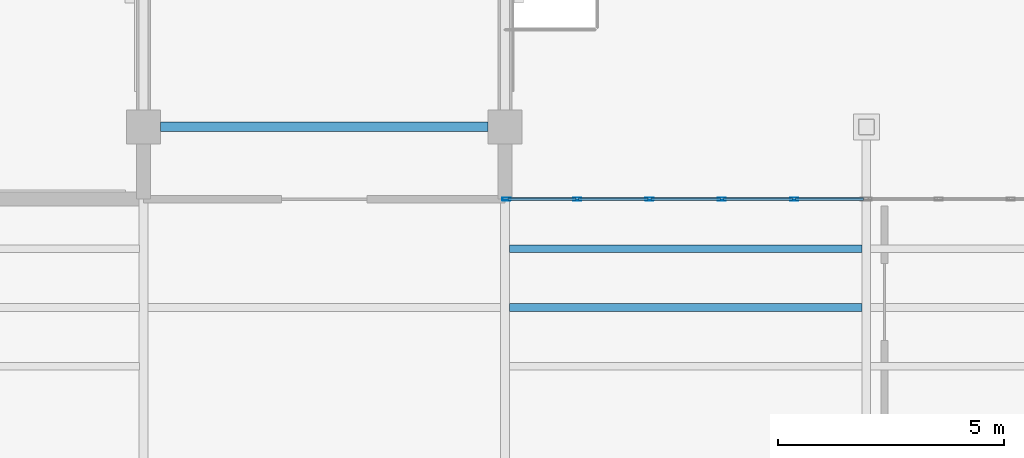
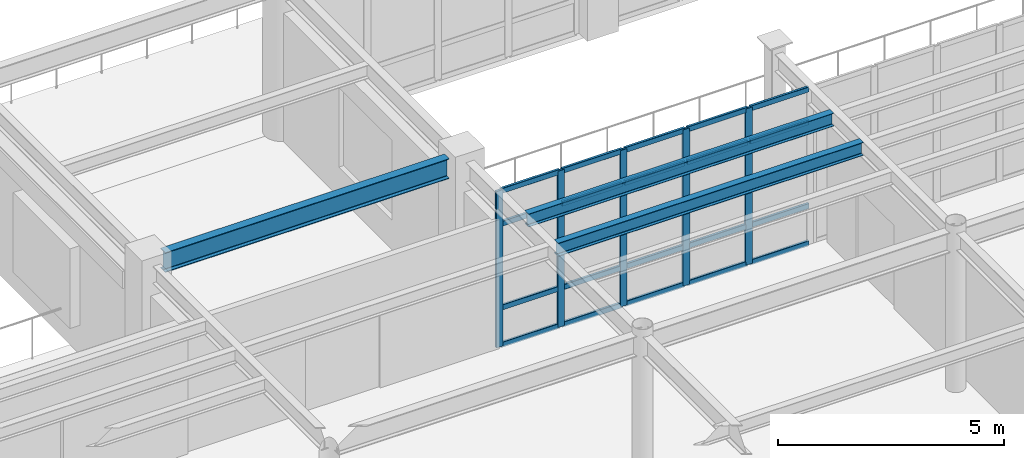
# One storey, part 19 of 111: 25 members, 3 beams, 1 element without a shape of its own.
"""IFC4 building model written with IfcOpenShell, lengths in metres."""

from ifc_helpers import new_model, si_unit, direction, frame, origin, origin_2d, place, context, subcontext, project, spatial, hollow_rectangle, i_section, extrude, material, material_profile, profile_set, type_object, element, aggregate, save


model = new_model("IFC4")

# Units and contexts
model_context = context("Model", 3, precision=1e-05, world=origin(), true_north=direction((0.0, 1.0)))
body_context = subcontext(model_context, "Body", "Model", "MODEL_VIEW")
ifc_project = project(units=[si_unit("LENGTHUNIT", "METRE"), si_unit("AREAUNIT", "SQUARE_METRE"), si_unit("VOLUMEUNIT", "CUBIC_METRE"), si_unit("PLANEANGLEUNIT", "RADIAN"), si_unit("MASSUNIT", "GRAM", prefix="KILO")], contexts=[model_context])

# Site, building, storey
site_placement = place(None, origin())
site = spatial("IfcSite", under=ifc_project, at=site_placement, CompositionType="ELEMENT")
building_placement = place(site_placement, origin())
building = spatial("IfcBuilding", under=site, at=building_placement, Name="Solmirada Galleria", CompositionType="ELEMENT")
storey_placement = place(building_placement, frame((0.0, 0.0, 10.39990234375)))
storey = spatial("IfcBuildingStorey", under=building, at=storey_placement, Name="L02", CompositionType="ELEMENT", Elevation=10.39990234375)

# Beams
ifc_material_1 = material(Name="Steel S355 / ASTM A992 Grade 50", Category="steel")
ifc_material_profile_1 = material_profile(ifc_material_1, i_section(OverallWidth=0.2099609375, OverallDepth=0.537109375, WebThickness=0.010986328125, FlangeThickness=0.017333984375, FilletRadius=0.014892578125, at=origin_2d()), Name="W21X68")
ifc_profile_set_1 = profile_set([ifc_material_profile_1], Name="Steel S355 / ASTM A992 Grade 50")
beam_type_1 = type_object("IfcBeamType", Name="BM-GIRD-W21B", PredefinedType="BEAM", material=ifc_profile_set_1)
beam_1_placement = place(storey_placement, frame((88.375, 40.0, 4.031494140625), z_axis=(1.0, 0.0, 0.0), x_axis=(0.0, 1.0, 0.0)))
element("IfcBeam", 1, at=beam_1_placement, inside=storey, type_object=beam_type_1, Name="Primary beam L03 X(88..96, 40)", PredefinedType="BEAM", context=body_context, shape_type="SweptSolid", body=[
    extrude(i_section(OverallWidth=0.2099609375, OverallDepth=0.537109375, WebThickness=0.010986328125, FlangeThickness=0.017333984375, FilletRadius=0.014892578125, at=origin_2d()), origin(), (0.0, 0.0, 1.0), 7.25),
])
ifc_material_profile_2 = material_profile(ifc_material_1, i_section(OverallWidth=0.172119140625, OverallDepth=0.35791015625, WebThickness=0.0078125, FlangeThickness=0.01318359375, FilletRadius=0.011962890625, at=origin_2d()), Name="W14X38")
ifc_profile_set_2 = profile_set([ifc_material_profile_2], Name="Steel S355 / ASTM A992 Grade 50")
beam_type_2 = type_object("IfcBeamType", Name="BM-JST-W14A", PredefinedType="JOIST", material=ifc_profile_set_2)
beam_2_placement = place(storey_placement, frame((96.10498046875, 36.0, 4.0810546875), z_axis=(1.0, 0.0, 0.0), x_axis=(0.0, 1.0, 0.0)))
element("IfcBeam", 2, at=beam_2_placement, inside=storey, type_object=beam_type_2, Name="Composite floor joist L03 (96..104, 36.0)", PredefinedType="JOIST", context=body_context, shape_type="SweptSolid", body=[
    extrude(i_section(OverallWidth=0.172119140625, OverallDepth=0.35791015625, WebThickness=0.0078125, FlangeThickness=0.01318359375, FilletRadius=0.011962890625, at=origin_2d()), origin(), (0.0, 0.0, 1.0), 7.798095703125),
])
ifc_material_profile_3 = material_profile(ifc_material_1, i_section(OverallWidth=0.1708984375, OverallDepth=0.35205078125, WebThickness=0.0068359375, FlangeThickness=0.009765625, FilletRadius=0.010986328125, at=origin_2d()), Name="W14X30")
ifc_profile_set_3 = profile_set([ifc_material_profile_3], Name="Steel S355 / ASTM A992 Grade 50")
beam_type_3 = type_object("IfcBeamType", Name="BM-JST-W14B", PredefinedType="JOIST", material=ifc_profile_set_3)
beam_3_placement = place(storey_placement, frame((96.10498046875, 37.300048828125, 4.083984375), z_axis=(1.0, 0.0, 0.0), x_axis=(0.0, 1.0, 0.0)))
element("IfcBeam", 3, at=beam_3_placement, inside=storey, type_object=beam_type_3, Name="Terrace deck joist L03-TERR-SE X=96..104 (2)", PredefinedType="JOIST", context=body_context, shape_type="SweptSolid", body=[
    extrude(i_section(OverallWidth=0.1708984375, OverallDepth=0.35205078125, WebThickness=0.0068359375, FlangeThickness=0.009765625, FilletRadius=0.010986328125, at=origin_2d()), origin(), (0.0, 0.0, 1.0), 7.798095703125),
])

# Curtain wall, members
ifc_material_2 = material(Name="Impact-resistant low-E double glazing", Category="glass")
curtain_wall_type = type_object("IfcCurtainWallType", Name="CW-FZ5-L02-B5-L080", PredefinedType="NOTDEFINED", material=ifc_material_2)
curtain_wall_placement = place(storey_placement, origin())
curtain_wall = element("IfcCurtainWall", 4, at=curtain_wall_placement, inside=storey, type_object=curtain_wall_type, Name="Terrace and arcade storefront CW-L02-111", PredefinedType="NOTDEFINED")
ifc_material_3 = material(Name="Anodised aluminium framing", Category="aluminium")
ifc_material_profile_4 = material_profile(ifc_material_3, hollow_rectangle(XDim=0.06494140625, YDim=0.179931640625, WallThickness=0.00390625, InnerFilletRadius=0.00390625, OuterFilletRadius=0.008056640625, at=origin_2d()), Name="ALU-MULL-180X65")
ifc_profile_set_4 = profile_set([ifc_material_profile_4], Name="Anodised aluminium framing")
member_type_1 = type_object("IfcMemberType", Name="CW-MULL-180", PredefinedType="MULLION", material=ifc_profile_set_4)
member_1_placement = place(storey_placement, frame((96.032470703125, 38.39990234375, 0.0), z_axis=(0.0, 0.0, 1.0), x_axis=(0.0, 1.0, 0.0)))
member_1 = element("IfcMember", 5, at=member_1_placement, type_object=member_type_1, Name="CW25 mullion 1", PredefinedType="MULLION", context=body_context, shape_type="SweptSolid", body=[
    extrude(hollow_rectangle(XDim=0.06494140625, YDim=0.179931640625, WallThickness=0.00390625, InnerFilletRadius=0.00390625, OuterFilletRadius=0.008056640625, at=origin_2d()), origin(), (0.0, 0.0, 1.0), 4.22021484375),
])
member_2_placement = place(storey_placement, frame((97.60009765625, 38.39990234375, 0.0), z_axis=(0.0, 0.0, 1.0), x_axis=(0.0, 1.0, 0.0)))
member_2 = element("IfcMember", 6, at=member_2_placement, type_object=member_type_1, Name="CW25 mullion 2", PredefinedType="MULLION", context=body_context, shape_type="SweptSolid", body=[
    extrude(hollow_rectangle(XDim=0.06494140625, YDim=0.179931640625, WallThickness=0.00390625, InnerFilletRadius=0.00390625, OuterFilletRadius=0.008056640625, at=origin_2d()), origin(), (0.0, 0.0, 1.0), 4.22021484375),
])
member_3_placement = place(storey_placement, frame((99.199951171875, 38.39990234375, 0.0), z_axis=(0.0, 0.0, 1.0), x_axis=(0.0, 1.0, 0.0)))
member_3 = element("IfcMember", 7, at=member_3_placement, type_object=member_type_1, Name="CW25 mullion 3", PredefinedType="MULLION", context=body_context, shape_type="SweptSolid", body=[
    extrude(hollow_rectangle(XDim=0.06494140625, YDim=0.179931640625, WallThickness=0.00390625, InnerFilletRadius=0.00390625, OuterFilletRadius=0.008056640625, at=origin_2d()), origin(), (0.0, 0.0, 1.0), 4.22021484375),
])
member_4_placement = place(storey_placement, frame((100.800048828125, 38.39990234375, 0.0), z_axis=(0.0, 0.0, 1.0), x_axis=(0.0, 1.0, 0.0)))
member_4 = element("IfcMember", 8, at=member_4_placement, type_object=member_type_1, Name="CW25 mullion 4", PredefinedType="MULLION", context=body_context, shape_type="SweptSolid", body=[
    extrude(hollow_rectangle(XDim=0.06494140625, YDim=0.179931640625, WallThickness=0.00390625, InnerFilletRadius=0.00390625, OuterFilletRadius=0.008056640625, at=origin_2d()), origin(), (0.0, 0.0, 1.0), 4.22021484375),
])
member_5_placement = place(storey_placement, frame((102.39990234375, 38.39990234375, 0.0), z_axis=(0.0, 0.0, 1.0), x_axis=(0.0, 1.0, 0.0)))
member_5 = element("IfcMember", 9, at=member_5_placement, type_object=member_type_1, Name="CW25 mullion 5", PredefinedType="MULLION", context=body_context, shape_type="SweptSolid", body=[
    extrude(hollow_rectangle(XDim=0.06494140625, YDim=0.179931640625, WallThickness=0.00390625, InnerFilletRadius=0.00390625, OuterFilletRadius=0.008056640625, at=origin_2d()), origin(), (0.0, 0.0, 1.0), 4.22021484375),
])
ifc_material_profile_5 = material_profile(ifc_material_3, hollow_rectangle(XDim=0.06494140625, YDim=0.139892578125, WallThickness=0.00341796875, InnerFilletRadius=0.00341796875, OuterFilletRadius=0.007080078125, at=origin_2d()), Name="ALU-TRAN-140X65")
ifc_profile_set_5 = profile_set([ifc_material_profile_5], Name="Anodised aluminium framing")
member_type_2 = type_object("IfcMemberType", Name="CW-TRAN-140", PredefinedType="USERDEFINED", material=ifc_profile_set_5)
member_6_placement = place(storey_placement, frame((96.06494140625, 38.39990234375, 0.03271484375), z_axis=(1.0, 0.0, 0.0), x_axis=(0.0, 1.0, 0.0)))
member_6 = element("IfcMember", 10, at=member_6_placement, type_object=member_type_2, Name="CW25 transom 1.1", ObjectType="TRANSOM", PredefinedType="USERDEFINED", context=body_context, shape_type="SweptSolid", body=[
    extrude(hollow_rectangle(XDim=0.06494140625, YDim=0.139892578125, WallThickness=0.00341796875, InnerFilletRadius=0.00341796875, OuterFilletRadius=0.007080078125, at=origin_2d()), origin(), (0.0, 0.0, 1.0), 1.50244140625),
])
member_7_placement = place(storey_placement, frame((96.06494140625, 38.39990234375, 1.0400390625), z_axis=(1.0, 0.0, 0.0), x_axis=(0.0, 1.0, 0.0)))
member_7 = element("IfcMember", 11, at=member_7_placement, type_object=member_type_2, Name="CW25 transom 1.2", ObjectType="TRANSOM", PredefinedType="USERDEFINED", context=body_context, shape_type="SweptSolid", body=[
    extrude(hollow_rectangle(XDim=0.06494140625, YDim=0.139892578125, WallThickness=0.00341796875, InnerFilletRadius=0.00341796875, OuterFilletRadius=0.007080078125, at=origin_2d()), origin(), (0.0, 0.0, 1.0), 1.50244140625),
])
member_8_placement = place(storey_placement, frame((96.06494140625, 38.39990234375, 3.300048828125), z_axis=(1.0, 0.0, 0.0), x_axis=(0.0, 1.0, 0.0)))
member_8 = element("IfcMember", 12, at=member_8_placement, type_object=member_type_2, Name="CW25 transom 1.3", ObjectType="TRANSOM", PredefinedType="USERDEFINED", context=body_context, shape_type="SweptSolid", body=[
    extrude(hollow_rectangle(XDim=0.06494140625, YDim=0.139892578125, WallThickness=0.00341796875, InnerFilletRadius=0.00341796875, OuterFilletRadius=0.007080078125, at=origin_2d()), origin(), (0.0, 0.0, 1.0), 1.50244140625),
])
member_9_placement = place(storey_placement, frame((96.06494140625, 38.39990234375, 4.1875), z_axis=(1.0, 0.0, 0.0), x_axis=(0.0, 1.0, 0.0)))
member_9 = element("IfcMember", 13, at=member_9_placement, type_object=member_type_2, Name="CW25 transom 1.4", ObjectType="TRANSOM", PredefinedType="USERDEFINED", context=body_context, shape_type="SweptSolid", body=[
    extrude(hollow_rectangle(XDim=0.06494140625, YDim=0.139892578125, WallThickness=0.00341796875, InnerFilletRadius=0.00341796875, OuterFilletRadius=0.007080078125, at=origin_2d()), origin(), (0.0, 0.0, 1.0), 1.50244140625),
])
member_10_placement = place(storey_placement, frame((97.632568359375, 38.39990234375, 0.03271484375), z_axis=(1.0, 0.0, 0.0), x_axis=(0.0, 1.0, 0.0)))
member_10 = element("IfcMember", 14, at=member_10_placement, type_object=member_type_2, Name="CW25 transom 2.1", ObjectType="TRANSOM", PredefinedType="USERDEFINED", context=body_context, shape_type="SweptSolid", body=[
    extrude(hollow_rectangle(XDim=0.06494140625, YDim=0.139892578125, WallThickness=0.00341796875, InnerFilletRadius=0.00341796875, OuterFilletRadius=0.007080078125, at=origin_2d()), origin(), (0.0, 0.0, 1.0), 1.534912109375),
])
member_11_placement = place(storey_placement, frame((97.632568359375, 38.39990234375, 1.0400390625), z_axis=(1.0, 0.0, 0.0), x_axis=(0.0, 1.0, 0.0)))
member_11 = element("IfcMember", 15, at=member_11_placement, type_object=member_type_2, Name="CW25 transom 2.2", ObjectType="TRANSOM", PredefinedType="USERDEFINED", context=body_context, shape_type="SweptSolid", body=[
    extrude(hollow_rectangle(XDim=0.06494140625, YDim=0.139892578125, WallThickness=0.00341796875, InnerFilletRadius=0.00341796875, OuterFilletRadius=0.007080078125, at=origin_2d()), origin(), (0.0, 0.0, 1.0), 1.534912109375),
])
member_12_placement = place(storey_placement, frame((97.632568359375, 38.39990234375, 3.300048828125), z_axis=(1.0, 0.0, 0.0), x_axis=(0.0, 1.0, 0.0)))
member_12 = element("IfcMember", 16, at=member_12_placement, type_object=member_type_2, Name="CW25 transom 2.3", ObjectType="TRANSOM", PredefinedType="USERDEFINED", context=body_context, shape_type="SweptSolid", body=[
    extrude(hollow_rectangle(XDim=0.06494140625, YDim=0.139892578125, WallThickness=0.00341796875, InnerFilletRadius=0.00341796875, OuterFilletRadius=0.007080078125, at=origin_2d()), origin(), (0.0, 0.0, 1.0), 1.534912109375),
])
member_13_placement = place(storey_placement, frame((97.632568359375, 38.39990234375, 4.1875), z_axis=(1.0, 0.0, 0.0), x_axis=(0.0, 1.0, 0.0)))
member_13 = element("IfcMember", 17, at=member_13_placement, type_object=member_type_2, Name="CW25 transom 2.4", ObjectType="TRANSOM", PredefinedType="USERDEFINED", context=body_context, shape_type="SweptSolid", body=[
    extrude(hollow_rectangle(XDim=0.06494140625, YDim=0.139892578125, WallThickness=0.00341796875, InnerFilletRadius=0.00341796875, OuterFilletRadius=0.007080078125, at=origin_2d()), origin(), (0.0, 0.0, 1.0), 1.534912109375),
])
member_14_placement = place(storey_placement, frame((99.232421875, 38.39990234375, 0.03271484375), z_axis=(1.0, 0.0, 0.0), x_axis=(0.0, 1.0, 0.0)))
member_14 = element("IfcMember", 18, at=member_14_placement, type_object=member_type_2, Name="CW25 transom 3.1", ObjectType="TRANSOM", PredefinedType="USERDEFINED", context=body_context, shape_type="SweptSolid", body=[
    extrude(hollow_rectangle(XDim=0.06494140625, YDim=0.139892578125, WallThickness=0.00341796875, InnerFilletRadius=0.00341796875, OuterFilletRadius=0.007080078125, at=origin_2d()), origin(), (0.0, 0.0, 1.0), 1.53515625),
])
member_15_placement = place(storey_placement, frame((99.232421875, 38.39990234375, 1.0400390625), z_axis=(1.0, 0.0, 0.0), x_axis=(0.0, 1.0, 0.0)))
member_15 = element("IfcMember", 19, at=member_15_placement, type_object=member_type_2, Name="CW25 transom 3.2", ObjectType="TRANSOM", PredefinedType="USERDEFINED", context=body_context, shape_type="SweptSolid", body=[
    extrude(hollow_rectangle(XDim=0.06494140625, YDim=0.139892578125, WallThickness=0.00341796875, InnerFilletRadius=0.00341796875, OuterFilletRadius=0.007080078125, at=origin_2d()), origin(), (0.0, 0.0, 1.0), 1.53515625),
])
member_16_placement = place(storey_placement, frame((99.232421875, 38.39990234375, 3.300048828125), z_axis=(1.0, 0.0, 0.0), x_axis=(0.0, 1.0, 0.0)))
member_16 = element("IfcMember", 20, at=member_16_placement, type_object=member_type_2, Name="CW25 transom 3.3", ObjectType="TRANSOM", PredefinedType="USERDEFINED", context=body_context, shape_type="SweptSolid", body=[
    extrude(hollow_rectangle(XDim=0.06494140625, YDim=0.139892578125, WallThickness=0.00341796875, InnerFilletRadius=0.00341796875, OuterFilletRadius=0.007080078125, at=origin_2d()), origin(), (0.0, 0.0, 1.0), 1.53515625),
])
member_17_placement = place(storey_placement, frame((99.232421875, 38.39990234375, 4.1875), z_axis=(1.0, 0.0, 0.0), x_axis=(0.0, 1.0, 0.0)))
member_17 = element("IfcMember", 21, at=member_17_placement, type_object=member_type_2, Name="CW25 transom 3.4", ObjectType="TRANSOM", PredefinedType="USERDEFINED", context=body_context, shape_type="SweptSolid", body=[
    extrude(hollow_rectangle(XDim=0.06494140625, YDim=0.139892578125, WallThickness=0.00341796875, InnerFilletRadius=0.00341796875, OuterFilletRadius=0.007080078125, at=origin_2d()), origin(), (0.0, 0.0, 1.0), 1.53515625),
])
member_18_placement = place(storey_placement, frame((100.83251953125, 38.39990234375, 0.03271484375), z_axis=(1.0, 0.0, 0.0), x_axis=(0.0, 1.0, 0.0)))
member_18 = element("IfcMember", 22, at=member_18_placement, type_object=member_type_2, Name="CW25 transom 4.1", ObjectType="TRANSOM", PredefinedType="USERDEFINED", context=body_context, shape_type="SweptSolid", body=[
    extrude(hollow_rectangle(XDim=0.06494140625, YDim=0.139892578125, WallThickness=0.00341796875, InnerFilletRadius=0.00341796875, OuterFilletRadius=0.007080078125, at=origin_2d()), origin(), (0.0, 0.0, 1.0), 1.534912109375),
])
member_19_placement = place(storey_placement, frame((100.83251953125, 38.39990234375, 1.0400390625), z_axis=(1.0, 0.0, 0.0), x_axis=(0.0, 1.0, 0.0)))
member_19 = element("IfcMember", 23, at=member_19_placement, type_object=member_type_2, Name="CW25 transom 4.2", ObjectType="TRANSOM", PredefinedType="USERDEFINED", context=body_context, shape_type="SweptSolid", body=[
    extrude(hollow_rectangle(XDim=0.06494140625, YDim=0.139892578125, WallThickness=0.00341796875, InnerFilletRadius=0.00341796875, OuterFilletRadius=0.007080078125, at=origin_2d()), origin(), (0.0, 0.0, 1.0), 1.534912109375),
])
member_20_placement = place(storey_placement, frame((100.83251953125, 38.39990234375, 3.300048828125), z_axis=(1.0, 0.0, 0.0), x_axis=(0.0, 1.0, 0.0)))
member_20 = element("IfcMember", 24, at=member_20_placement, type_object=member_type_2, Name="CW25 transom 4.3", ObjectType="TRANSOM", PredefinedType="USERDEFINED", context=body_context, shape_type="SweptSolid", body=[
    extrude(hollow_rectangle(XDim=0.06494140625, YDim=0.139892578125, WallThickness=0.00341796875, InnerFilletRadius=0.00341796875, OuterFilletRadius=0.007080078125, at=origin_2d()), origin(), (0.0, 0.0, 1.0), 1.534912109375),
])
member_21_placement = place(storey_placement, frame((100.83251953125, 38.39990234375, 4.1875), z_axis=(1.0, 0.0, 0.0), x_axis=(0.0, 1.0, 0.0)))
member_21 = element("IfcMember", 25, at=member_21_placement, type_object=member_type_2, Name="CW25 transom 4.4", ObjectType="TRANSOM", PredefinedType="USERDEFINED", context=body_context, shape_type="SweptSolid", body=[
    extrude(hollow_rectangle(XDim=0.06494140625, YDim=0.139892578125, WallThickness=0.00341796875, InnerFilletRadius=0.00341796875, OuterFilletRadius=0.007080078125, at=origin_2d()), origin(), (0.0, 0.0, 1.0), 1.534912109375),
])
member_22_placement = place(storey_placement, frame((102.4326171875, 38.39990234375, 0.03271484375), z_axis=(1.0, 0.0, 0.0), x_axis=(0.0, 1.0, 0.0)))
member_22 = element("IfcMember", 26, at=member_22_placement, type_object=member_type_2, Name="CW25 transom 5.1", ObjectType="TRANSOM", PredefinedType="USERDEFINED", context=body_context, shape_type="SweptSolid", body=[
    extrude(hollow_rectangle(XDim=0.06494140625, YDim=0.139892578125, WallThickness=0.00341796875, InnerFilletRadius=0.00341796875, OuterFilletRadius=0.007080078125, at=origin_2d()), origin(), (0.0, 0.0, 1.0), 1.50244140625),
])
member_23_placement = place(storey_placement, frame((102.4326171875, 38.39990234375, 1.0400390625), z_axis=(1.0, 0.0, 0.0), x_axis=(0.0, 1.0, 0.0)))
member_23 = element("IfcMember", 27, at=member_23_placement, type_object=member_type_2, Name="CW25 transom 5.2", ObjectType="TRANSOM", PredefinedType="USERDEFINED", context=body_context, shape_type="SweptSolid", body=[
    extrude(hollow_rectangle(XDim=0.06494140625, YDim=0.139892578125, WallThickness=0.00341796875, InnerFilletRadius=0.00341796875, OuterFilletRadius=0.007080078125, at=origin_2d()), origin(), (0.0, 0.0, 1.0), 1.50244140625),
])
member_24_placement = place(storey_placement, frame((102.4326171875, 38.39990234375, 3.300048828125), z_axis=(1.0, 0.0, 0.0), x_axis=(0.0, 1.0, 0.0)))
member_24 = element("IfcMember", 28, at=member_24_placement, type_object=member_type_2, Name="CW25 transom 5.3", ObjectType="TRANSOM", PredefinedType="USERDEFINED", context=body_context, shape_type="SweptSolid", body=[
    extrude(hollow_rectangle(XDim=0.06494140625, YDim=0.139892578125, WallThickness=0.00341796875, InnerFilletRadius=0.00341796875, OuterFilletRadius=0.007080078125, at=origin_2d()), origin(), (0.0, 0.0, 1.0), 1.50244140625),
])
member_25_placement = place(storey_placement, frame((102.4326171875, 38.39990234375, 4.1875), z_axis=(1.0, 0.0, 0.0), x_axis=(0.0, 1.0, 0.0)))
member_25 = element("IfcMember", 29, at=member_25_placement, type_object=member_type_2, Name="CW25 transom 5.4", ObjectType="TRANSOM", PredefinedType="USERDEFINED", context=body_context, shape_type="SweptSolid", body=[
    extrude(hollow_rectangle(XDim=0.06494140625, YDim=0.139892578125, WallThickness=0.00341796875, InnerFilletRadius=0.00341796875, OuterFilletRadius=0.007080078125, at=origin_2d()), origin(), (0.0, 0.0, 1.0), 1.50244140625),
])
aggregate(curtain_wall, [member_1, member_2, member_3, member_4, member_5, member_6, member_7, member_8, member_9, member_10, member_11, member_12, member_13, member_14, member_15, member_16, member_17, member_18, member_19, member_20, member_21, member_22, member_23, member_24, member_25])

save(model, "model.ifc")
